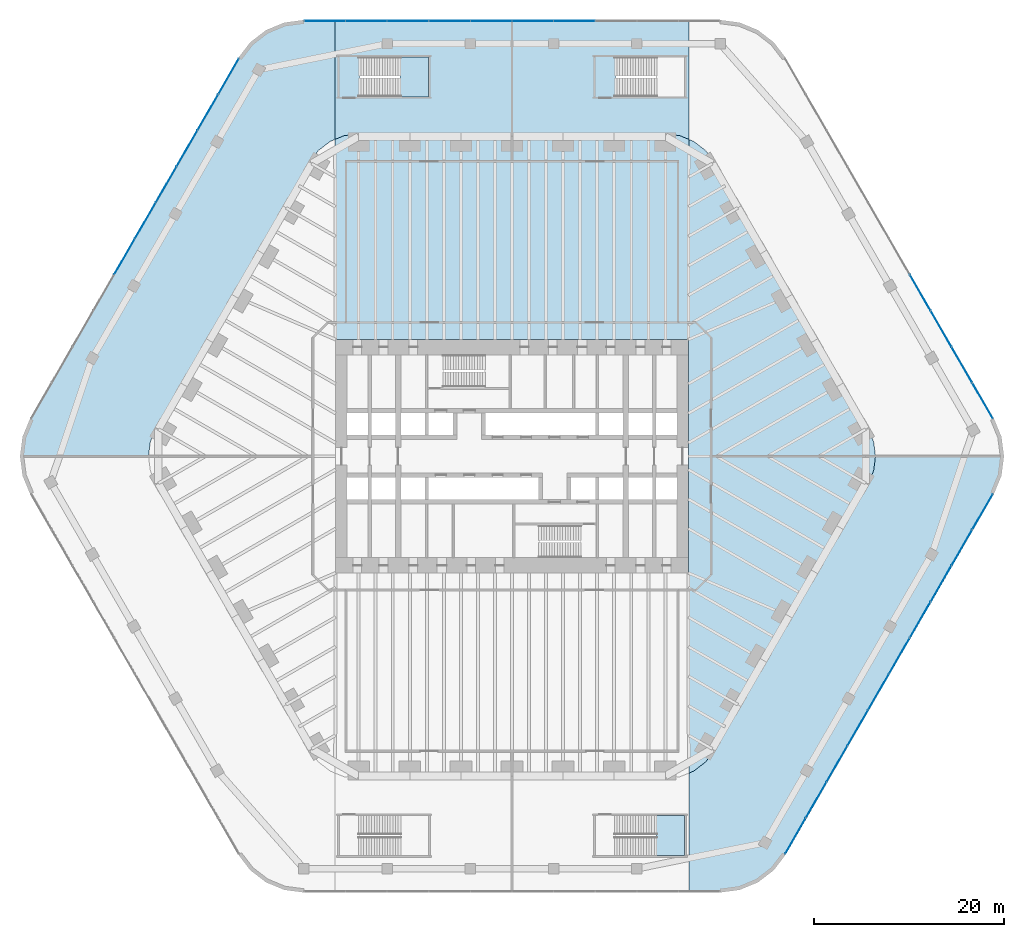
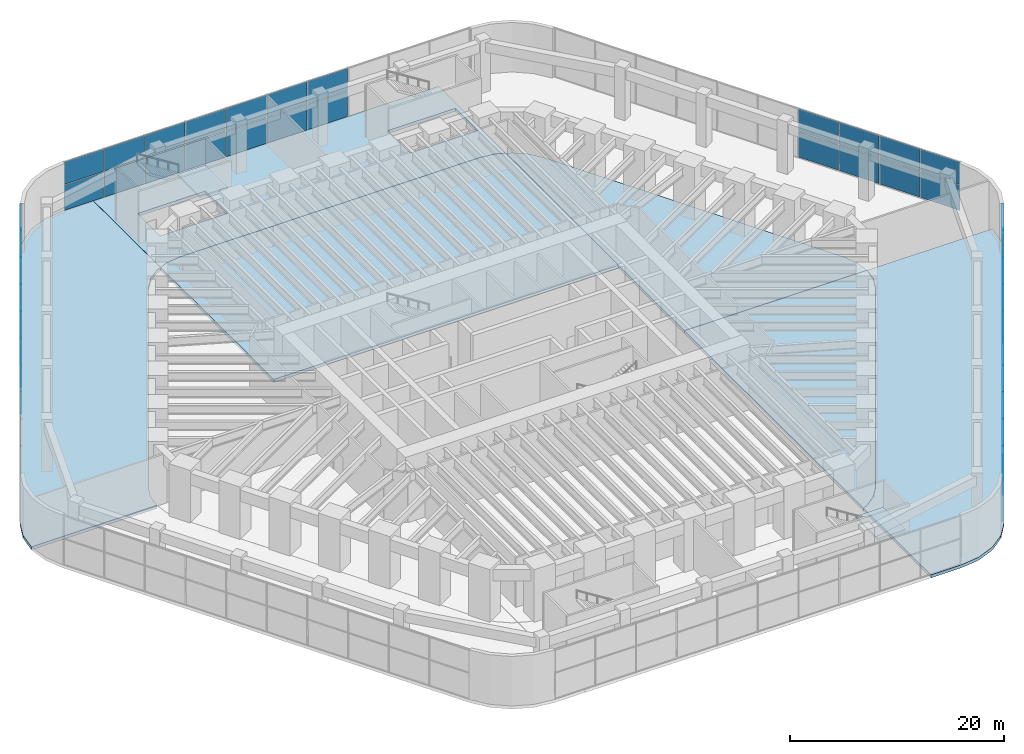
# One storey, part 24 of 31: 54 plates, 8 slabs, 6 elements without a shape of their own.
"""IFC4 building model written with IfcOpenShell, lengths in metres."""

import ifcopenshell
import ifcopenshell.guid

model = None  # the IFC model being written
_history = None  # IfcOwnerHistory: only IFC2X3 demands one
_inside = {}  # id of a spatial element -> (the spatial element, [elements in it])
_under = {}  # id of a project, library or spatial element -> (it, [spatial elements below it])
_declared = {}  # id of a project -> (the project, [libraries it declares])
_typed = {}  # id of a type object -> (the type object, [elements of that type])
_made_of = {}  # id of a material, layer set ... -> (it, [elements and type objects made of it])


def new_model(schema):
    """Start an empty IFC model of exactly this schema.

    Asked for "IFC4X3", IfcOpenShell would pick the latest addendum, in which some entities
    have other attributes; the version numbers below select the first issue.
    IFC2X3 requires an IfcOwnerHistory on every rooted entity: one is made here for all.
    """
    global model, _history
    if schema == "IFC4X3":
        model = ifcopenshell.file(schema_version=(4, 3, 0, 0))
    else:
        model = ifcopenshell.file(schema=schema)
    _inside.clear()
    _under.clear()
    _declared.clear()
    _typed.clear()
    _made_of.clear()
    _history = None
    if model.schema == "IFC2X3":
        org = make("IfcOrganization", Name="unknown")
        user = make(
            "IfcPersonAndOrganization",
            ThePerson=make("IfcPerson", FamilyName="unknown"),
            TheOrganization=org,
        )
        app = make(
            "IfcApplication",
            ApplicationDeveloper=org,
            Version="unknown",
            ApplicationFullName="unknown",
            ApplicationIdentifier="unknown",
        )
        _history = make(
            "IfcOwnerHistory",
            OwningUser=user,
            OwningApplication=app,
            ChangeAction="ADDED",
            CreationDate=0,
        )
    return model


def make(cls, **values):
    """One entity of the class cls with the attributes given. An attribute that is None is left unset."""
    return model.create_entity(
        cls, **{name: value for name, value in values.items() if value is not None}
    )


def rooted(cls, **values):
    """An entity with a GlobalId (a new one), such as an element, a storey or a relation."""
    return make(cls, GlobalId=ifcopenshell.guid.new(), OwnerHistory=_history, **values)


def si_unit(unit_type, name, prefix=None):
    """IfcSIUnit, for example si_unit("LENGTHUNIT", "METRE", prefix="MILLI")."""
    return make("IfcSIUnit", UnitType=unit_type, Prefix=prefix, Name=name)


def assignment(units):
    """IfcUnitAssignment: the units of a project."""
    return None if units is None else make("IfcUnitAssignment", Units=units)


def point(xyz):
    """IfcCartesianPoint."""
    return None if xyz is None else make("IfcCartesianPoint", Coordinates=xyz)


def direction(xyz):
    """IfcDirection."""
    return None if xyz is None else make("IfcDirection", DirectionRatios=xyz)


def frame(location, z_axis=None, x_axis=None):
    """IfcAxis2Placement3D, a coordinate frame: its origin and axes. An axis left out is left unset."""
    return make(
        "IfcAxis2Placement3D",
        Location=point(location),
        Axis=direction(z_axis),
        RefDirection=direction(x_axis),
    )


def frame_2d(location, x_axis=None):
    """IfcAxis2Placement2D, a coordinate frame in the plane: its origin and x axis."""
    return make(
        "IfcAxis2Placement2D", Location=point(location), RefDirection=direction(x_axis)
    )


def origin():
    """The frame at (0, 0, 0) with its axes left unset."""
    return frame((0.0, 0.0, 0.0))


def origin_2d():
    """The frame at (0, 0) in the plane with its x axis left unset."""
    return frame_2d((0.0, 0.0))


def place(relative_to, where):
    """IfcLocalPlacement: puts the frame where relative to a parent placement (None: the world)."""
    return make(
        "IfcLocalPlacement", PlacementRelTo=relative_to, RelativePlacement=where
    )


def context(
    kind, dimensions, precision=None, world=None, true_north=None, identifier=None
):
    """IfcGeometricRepresentationContext, for example the 3D "Model" context."""
    return make(
        "IfcGeometricRepresentationContext",
        ContextIdentifier=identifier,
        ContextType=kind,
        CoordinateSpaceDimension=dimensions,
        Precision=precision,
        WorldCoordinateSystem=world,
        TrueNorth=true_north,
    )


def subcontext(parent, identifier, kind, view, scale=None):
    """IfcGeometricRepresentationSubContext, for example "Body" below "Model"."""
    return make(
        "IfcGeometricRepresentationSubContext",
        ContextIdentifier=identifier,
        ContextType=kind,
        ParentContext=parent,
        TargetScale=scale,
        TargetView=view,
    )


def project(units=None, contexts=None):
    """IfcProject with its units and contexts."""
    return rooted(
        "IfcProject",
        Name="project",
        RepresentationContexts=contexts,
        UnitsInContext=assignment(units),
    )


def spatial(cls, under=None, at=None, **own):
    """A site, building, storey or space (cls), placed at a placement, below another one or the project."""
    s = rooted(cls, ObjectPlacement=at, **own)
    if under is not None:
        _under.setdefault(under.id(), (under, []))[1].append(s)
    return s


def polyline(points):
    """IfcPolyline through the points."""
    return make("IfcPolyline", Points=[point(p) for p in points])


def profile(cls, at=None, kind="AREA", **sizes):
    """A parametric profile (cls). Its sizes go by their IFC names, for example OverallWidth=200.0."""
    return make(cls, ProfileType=kind, Position=at, **sizes)


def rectangle(**sizes):
    """IfcRectangleProfileDef."""
    return profile("IfcRectangleProfileDef", **sizes)


def outline(outer, holes=None, kind="AREA"):
    """IfcArbitraryClosedProfileDef: a profile drawn as a closed curve; with holes, ...WithVoids."""
    if holes is None:
        return make("IfcArbitraryClosedProfileDef", ProfileType=kind, OuterCurve=outer)
    return make(
        "IfcArbitraryProfileDefWithVoids",
        ProfileType=kind,
        OuterCurve=outer,
        InnerCurves=holes,
    )


def extrude(swept, where, along, depth):
    """IfcExtrudedAreaSolid: the profile swept, set in the frame where, extruded along a direction by depth."""
    return make(
        "IfcExtrudedAreaSolid",
        SweptArea=swept,
        Position=where,
        ExtrudedDirection=direction(along),
        Depth=depth,
    )


def shape(context_of_items, identifier, shape_type, items):
    """IfcShapeRepresentation: the items that make up one representation, for example the "Body"."""
    return make(
        "IfcShapeRepresentation",
        ContextOfItems=context_of_items,
        RepresentationIdentifier=identifier,
        RepresentationType=shape_type,
        Items=items,
    )


def material(Name=None, Category=None):
    """IfcMaterial."""
    return make("IfcMaterial", Name=Name, Category=Category)


def layer(
    of_material, thickness, ventilated=None, Name=None, Category=None, Priority=None
):
    """IfcMaterialLayer: one layer of a wall or slab, of a material (None: an air gap)."""
    return make(
        "IfcMaterialLayer",
        Material=of_material,
        LayerThickness=thickness,
        IsVentilated=ventilated,
        Name=Name,
        Category=Category,
        Priority=Priority,
    )


def layer_set(layers, Name=None):
    """IfcMaterialLayerSet."""
    return make("IfcMaterialLayerSet", MaterialLayers=layers, LayerSetName=Name)


def made_of(thing, what):
    """Note that an element or type object is made of a material, layer set ...; save() writes the relation."""
    if what is not None:
        _made_of.setdefault(what.id(), (what, []))[1].append(thing)
    return thing


def type_object(cls, material=None, **own):
    """A type object (cls), such as IfcWallType, which elements share."""
    return made_of(rooted(cls, **own), material)


def element(
    cls,
    number,
    at=None,
    inside=None,
    cuts=None,
    type_object=None,
    material=None,
    context=None,
    identifier="Body",
    shape_type=None,
    held_by="IfcProductDefinitionShape",
    body=None,
    shapes=None,
    **own,
):
    """One element of the class cls, such as IfcWall. Its Tag is "e" and its number.

    at: its placement. inside: the storey or other place that contains it. cuts: it is an
    opening in that element (IfcRelVoidsElement). A single representation is given by context,
    identifier, shape_type and body (its items); several are given by shapes. held_by: the class
    of the entity that holds the representations. save() writes the other relations.
    """
    e = rooted(cls, Tag="e%d" % number, ObjectPlacement=at, **own)
    if body is not None:
        shapes = [shape(context, identifier, shape_type, body)]
    if shapes is not None:
        e.Representation = make(held_by, Representations=shapes)
    if inside is not None:
        _inside.setdefault(inside.id(), (inside, []))[1].append(e)
    if cuts is not None:
        rooted(
            "IfcRelVoidsElement", RelatingBuildingElement=cuts, RelatedOpeningElement=e
        )
    if type_object is not None:
        _typed.setdefault(type_object.id(), (type_object, []))[1].append(e)
    return made_of(e, material)


def aggregate(whole, parts):
    """IfcRelAggregates: a whole, such as a stair, and the parts it consists of."""
    return rooted("IfcRelAggregates", RelatingObject=whole, RelatedObjects=parts)


def save(model, path):
    """Write the relations noted so far, then the file.

    IfcRelAggregates (storeys below a building ...), IfcRelContainedInSpatialStructure (elements
    in a storey), IfcRelDefinesByType, IfcRelAssociatesMaterial and IfcRelDeclares: one each for
    every whole, place, type object, material and project.
    """
    for whole, parts in _under.values():
        aggregate(whole, parts)
    for where, things in _inside.values():
        rooted(
            "IfcRelContainedInSpatialStructure",
            RelatedElements=things,
            RelatingStructure=where,
        )
    for kind, things in _typed.values():
        rooted("IfcRelDefinesByType", RelatedObjects=things, RelatingType=kind)
    for what, things in _made_of.values():
        rooted("IfcRelAssociatesMaterial", RelatedObjects=things, RelatingMaterial=what)
    for by, libraries in _declared.values():
        rooted("IfcRelDeclares", RelatingContext=by, RelatedDefinitions=libraries)
    model.write(path)


model = new_model("IFC4")

# Units and contexts
model_context = context("Model", 3, precision=1e-05, world=origin(), true_north=direction((0.0, 1.0)))
body_context = subcontext(model_context, "Body", "Model", "MODEL_VIEW")
ifc_project = project(units=[si_unit("LENGTHUNIT", "METRE"), si_unit("AREAUNIT", "SQUARE_METRE"), si_unit("VOLUMEUNIT", "CUBIC_METRE"), si_unit("PLANEANGLEUNIT", "RADIAN"), si_unit("MASSUNIT", "GRAM", prefix="KILO")], contexts=[model_context])

# Site, building, storey
site_placement = place(None, origin())
site = spatial("IfcSite", under=ifc_project, at=site_placement, CompositionType="ELEMENT")
building_placement = place(site_placement, origin())
building = spatial("IfcBuilding", under=site, at=building_placement, Name="Tarfa Lantern Tower", CompositionType="ELEMENT")
storey_placement = place(building_placement, frame((0.0, 0.0, 7.0)))
storey = spatial("IfcBuildingStorey", under=building, at=storey_placement, Name="L01", CompositionType="ELEMENT", Elevation=7.0)

# Curtain wall, plates
ifc_material_1 = material(Name="Aluminium framed curtain wall", Category="aluminium")
curtain_wall_type = type_object("IfcCurtainWallType", Name="CW7 PODIUM GLAZING 5650", PredefinedType="USERDEFINED", material=ifc_material_1)
curtain_wall_1_placement = place(storey_placement, origin())
curtain_wall_1 = element("IfcCurtainWall", 1, at=curtain_wall_1_placement, inside=storey, type_object=curtain_wall_type, Name="CW7 NE L01", ObjectType="CURTAIN WALL", PredefinedType="USERDEFINED")
ifc_material_2 = material(Name="Laminated double glazing", Category="glass")
ifc_layer_1 = layer(ifc_material_2, 0.028076171875)
ifc_layer_set_1 = layer_set([ifc_layer_1], Name="CWP1 DOUBLE GLAZED PANEL")
plate_type = type_object("IfcPlateType", Name="CWP1 DOUBLE GLAZED PANEL", PredefinedType="CURTAIN_PANEL", material=ifc_layer_set_1)
plate_1_placement = place(storey_placement, frame((49.615234375, 5.864013671875, 0.06494140625), z_axis=(0.0, 0.0, 1.0), x_axis=(-0.5, 0.866025403784, 0.0)))
plate_1 = element("IfcPlate", 2, at=plate_1_placement, type_object=plate_type, Name="CW7 panel 1.1", PredefinedType="CURTAIN_PANEL", context=body_context, shape_type="SweptSolid", body=[
    extrude(rectangle(XDim=4.290283203125, YDim=0.028076171875, at=origin_2d()), origin(), (0.0, 0.0, 1.0), 2.902587890625),
])
plate_2_placement = place(storey_placement, frame((49.615234375, 5.864013671875, 3.03271484375), z_axis=(0.0, 0.0, 1.0), x_axis=(-0.5, 0.866025403784, 0.0)))
plate_2 = element("IfcPlate", 3, at=plate_2_placement, type_object=plate_type, Name="CW7 panel 1.2", PredefinedType="CURTAIN_PANEL", context=body_context, shape_type="SweptSolid", body=[
    extrude(rectangle(XDim=4.290283203125, YDim=0.028076171875, at=origin_2d()), origin(), (0.0, 0.0, 1.0), 2.552490234375),
])
plate_3_placement = place(storey_placement, frame((47.429443359375, 9.64990234375, 0.06494140625), z_axis=(0.0, 0.0, 1.0), x_axis=(-0.5, 0.866025403784, 0.0)))
plate_3 = element("IfcPlate", 4, at=plate_3_placement, type_object=plate_type, Name="CW7 panel 2.1", PredefinedType="CURTAIN_PANEL", context=body_context, shape_type="SweptSolid", body=[
    extrude(rectangle(XDim=4.32275390625, YDim=0.028076171875, at=origin_2d()), origin(), (0.0, 0.0, 1.0), 2.902587890625),
])
plate_4_placement = place(storey_placement, frame((47.429443359375, 9.64990234375, 3.03271484375), z_axis=(0.0, 0.0, 1.0), x_axis=(-0.5, 0.866025403784, 0.0)))
plate_4 = element("IfcPlate", 5, at=plate_4_placement, type_object=plate_type, Name="CW7 panel 2.2", PredefinedType="CURTAIN_PANEL", context=body_context, shape_type="SweptSolid", body=[
    extrude(rectangle(XDim=4.32275390625, YDim=0.028076171875, at=origin_2d()), origin(), (0.0, 0.0, 1.0), 2.552490234375),
])
plate_5_placement = place(storey_placement, frame((45.2353515625, 13.449951171875, 0.06494140625), z_axis=(0.0, 0.0, 1.0), x_axis=(-0.5, 0.866025403784, 0.0)))
plate_5 = element("IfcPlate", 6, at=plate_5_placement, type_object=plate_type, Name="CW7 panel 3.1", PredefinedType="CURTAIN_PANEL", context=body_context, shape_type="SweptSolid", body=[
    extrude(rectangle(XDim=4.32275390625, YDim=0.028076171875, at=origin_2d()), origin(), (0.0, 0.0, 1.0), 2.902587890625),
])
plate_6_placement = place(storey_placement, frame((45.2353515625, 13.449951171875, 3.03271484375), z_axis=(0.0, 0.0, 1.0), x_axis=(-0.5, 0.866025403784, 0.0)))
plate_6 = element("IfcPlate", 7, at=plate_6_placement, type_object=plate_type, Name="CW7 panel 3.2", PredefinedType="CURTAIN_PANEL", context=body_context, shape_type="SweptSolid", body=[
    extrude(rectangle(XDim=4.32275390625, YDim=0.028076171875, at=origin_2d()), origin(), (0.0, 0.0, 1.0), 2.552490234375),
])
plate_7_placement = place(storey_placement, frame((43.04150390625, 17.25, 0.06494140625), z_axis=(0.0, 0.0, 1.0), x_axis=(-0.5, 0.866025403784, 0.0)))
plate_7 = element("IfcPlate", 8, at=plate_7_placement, type_object=plate_type, Name="CW7 panel 4.1", PredefinedType="CURTAIN_PANEL", context=body_context, shape_type="SweptSolid", body=[
    extrude(rectangle(XDim=4.32275390625, YDim=0.028076171875, at=origin_2d()), origin(), (0.0, 0.0, 1.0), 2.902587890625),
])
plate_8_placement = place(storey_placement, frame((43.04150390625, 17.25, 3.03271484375), z_axis=(0.0, 0.0, 1.0), x_axis=(-0.5, 0.866025403784, 0.0)))
plate_8 = element("IfcPlate", 9, at=plate_8_placement, type_object=plate_type, Name="CW7 panel 4.2", PredefinedType="CURTAIN_PANEL", context=body_context, shape_type="SweptSolid", body=[
    extrude(rectangle(XDim=4.32275390625, YDim=0.028076171875, at=origin_2d()), origin(), (0.0, 0.0, 1.0), 2.552490234375),
])
aggregate(curtain_wall_1, [plate_1, plate_2, plate_3, plate_4, plate_5, plate_6, plate_7, plate_8])

curtain_wall_2_placement = place(storey_placement, origin())
curtain_wall_2 = element("IfcCurtainWall", 10, at=curtain_wall_2_placement, inside=storey, type_object=curtain_wall_type, Name="CW7 N L01", ObjectType="CURTAIN WALL", PredefinedType="USERDEFINED")
plate_9_placement = place(storey_placement, frame((6.581787109375, 45.89990234375, 0.06494140625), z_axis=(0.0, 0.0, 1.0), x_axis=(-1.0, 0.0, 0.0)))
plate_9 = element("IfcPlate", 11, at=plate_9_placement, type_object=plate_type, Name="CW7 panel 4.1", PredefinedType="CURTAIN_PANEL", context=body_context, shape_type="SweptSolid", body=[
    extrude(rectangle(XDim=4.32275390625, YDim=0.028076171875, at=origin_2d()), origin(), (0.0, 0.0, 1.0), 2.902587890625),
])
plate_10_placement = place(storey_placement, frame((6.581787109375, 45.89990234375, 3.03271484375), z_axis=(0.0, 0.0, 1.0), x_axis=(-1.0, 0.0, 0.0)))
plate_10 = element("IfcPlate", 12, at=plate_10_placement, type_object=plate_type, Name="CW7 panel 4.2", PredefinedType="CURTAIN_PANEL", context=body_context, shape_type="SweptSolid", body=[
    extrude(rectangle(XDim=4.32275390625, YDim=0.028076171875, at=origin_2d()), origin(), (0.0, 0.0, 1.0), 2.552490234375),
])
plate_11_placement = place(storey_placement, frame((2.19384765625, 45.89990234375, 0.06494140625), z_axis=(0.0, 0.0, 1.0), x_axis=(-1.0, 0.0, 0.0)))
plate_11 = element("IfcPlate", 13, at=plate_11_placement, type_object=plate_type, Name="CW7 panel 5.1", PredefinedType="CURTAIN_PANEL", context=body_context, shape_type="SweptSolid", body=[
    extrude(rectangle(XDim=4.32275390625, YDim=0.028076171875, at=origin_2d()), origin(), (0.0, 0.0, 1.0), 2.902587890625),
])
plate_12_placement = place(storey_placement, frame((2.19384765625, 45.89990234375, 3.03271484375), z_axis=(0.0, 0.0, 1.0), x_axis=(-1.0, 0.0, 0.0)))
plate_12 = element("IfcPlate", 14, at=plate_12_placement, type_object=plate_type, Name="CW7 panel 5.2", PredefinedType="CURTAIN_PANEL", context=body_context, shape_type="SweptSolid", body=[
    extrude(rectangle(XDim=4.32275390625, YDim=0.028076171875, at=origin_2d()), origin(), (0.0, 0.0, 1.0), 2.552490234375),
])
plate_13_placement = place(storey_placement, frame((-2.19384765625, 45.89990234375, 0.06494140625), z_axis=(0.0, 0.0, 1.0), x_axis=(-1.0, 0.0, 0.0)))
plate_13 = element("IfcPlate", 15, at=plate_13_placement, type_object=plate_type, Name="CW7 panel 6.1", PredefinedType="CURTAIN_PANEL", context=body_context, shape_type="SweptSolid", body=[
    extrude(rectangle(XDim=4.32275390625, YDim=0.028076171875, at=origin_2d()), origin(), (0.0, 0.0, 1.0), 2.902587890625),
])
plate_14_placement = place(storey_placement, frame((-2.19384765625, 45.89990234375, 3.03271484375), z_axis=(0.0, 0.0, 1.0), x_axis=(-1.0, 0.0, 0.0)))
plate_14 = element("IfcPlate", 16, at=plate_14_placement, type_object=plate_type, Name="CW7 panel 6.2", PredefinedType="CURTAIN_PANEL", context=body_context, shape_type="SweptSolid", body=[
    extrude(rectangle(XDim=4.32275390625, YDim=0.028076171875, at=origin_2d()), origin(), (0.0, 0.0, 1.0), 2.552490234375),
])
plate_15_placement = place(storey_placement, frame((-6.581787109375, 45.89990234375, 0.06494140625), z_axis=(0.0, 0.0, 1.0), x_axis=(-1.0, 0.0, 0.0)))
plate_15 = element("IfcPlate", 17, at=plate_15_placement, type_object=plate_type, Name="CW7 panel 7.1", PredefinedType="CURTAIN_PANEL", context=body_context, shape_type="SweptSolid", body=[
    extrude(rectangle(XDim=4.32275390625, YDim=0.028076171875, at=origin_2d()), origin(), (0.0, 0.0, 1.0), 2.902587890625),
])
plate_16_placement = place(storey_placement, frame((-6.581787109375, 45.89990234375, 3.03271484375), z_axis=(0.0, 0.0, 1.0), x_axis=(-1.0, 0.0, 0.0)))
plate_16 = element("IfcPlate", 18, at=plate_16_placement, type_object=plate_type, Name="CW7 panel 7.2", PredefinedType="CURTAIN_PANEL", context=body_context, shape_type="SweptSolid", body=[
    extrude(rectangle(XDim=4.32275390625, YDim=0.028076171875, at=origin_2d()), origin(), (0.0, 0.0, 1.0), 2.552490234375),
])
plate_17_placement = place(storey_placement, frame((-10.9697265625, 45.89990234375, 0.06494140625), z_axis=(0.0, 0.0, 1.0), x_axis=(-1.0, 0.0, 0.0)))
plate_17 = element("IfcPlate", 19, at=plate_17_placement, type_object=plate_type, Name="CW7 panel 8.1", PredefinedType="CURTAIN_PANEL", context=body_context, shape_type="SweptSolid", body=[
    extrude(rectangle(XDim=4.32275390625, YDim=0.028076171875, at=origin_2d()), origin(), (0.0, 0.0, 1.0), 2.902587890625),
])
plate_18_placement = place(storey_placement, frame((-10.9697265625, 45.89990234375, 3.03271484375), z_axis=(0.0, 0.0, 1.0), x_axis=(-1.0, 0.0, 0.0)))
plate_18 = element("IfcPlate", 20, at=plate_18_placement, type_object=plate_type, Name="CW7 panel 8.2", PredefinedType="CURTAIN_PANEL", context=body_context, shape_type="SweptSolid", body=[
    extrude(rectangle(XDim=4.32275390625, YDim=0.028076171875, at=origin_2d()), origin(), (0.0, 0.0, 1.0), 2.552490234375),
])
plate_19_placement = place(storey_placement, frame((-15.357421875, 45.89990234375, 0.06494140625), z_axis=(0.0, 0.0, 1.0), x_axis=(-1.0, 0.0, 0.0)))
plate_19 = element("IfcPlate", 21, at=plate_19_placement, type_object=plate_type, Name="CW7 panel 9.1", PredefinedType="CURTAIN_PANEL", context=body_context, shape_type="SweptSolid", body=[
    extrude(rectangle(XDim=4.32275390625, YDim=0.028076171875, at=origin_2d()), origin(), (0.0, 0.0, 1.0), 2.902587890625),
])
plate_20_placement = place(storey_placement, frame((-15.357421875, 45.89990234375, 3.03271484375), z_axis=(0.0, 0.0, 1.0), x_axis=(-1.0, 0.0, 0.0)))
plate_20 = element("IfcPlate", 22, at=plate_20_placement, type_object=plate_type, Name="CW7 panel 9.2", PredefinedType="CURTAIN_PANEL", context=body_context, shape_type="SweptSolid", body=[
    extrude(rectangle(XDim=4.32275390625, YDim=0.028076171875, at=origin_2d()), origin(), (0.0, 0.0, 1.0), 2.552490234375),
])
plate_21_placement = place(storey_placement, frame((-19.729248046875, 45.89990234375, 0.06494140625), z_axis=(0.0, 0.0, 1.0), x_axis=(-1.0, 0.0, 0.0)))
plate_21 = element("IfcPlate", 23, at=plate_21_placement, type_object=plate_type, Name="CW7 panel 10.1", PredefinedType="CURTAIN_PANEL", context=body_context, shape_type="SweptSolid", body=[
    extrude(rectangle(XDim=4.290283203125, YDim=0.028076171875, at=origin_2d()), origin(), (0.0, 0.0, 1.0), 2.902587890625),
])
plate_22_placement = place(storey_placement, frame((-19.729248046875, 45.89990234375, 3.03271484375), z_axis=(0.0, 0.0, 1.0), x_axis=(-1.0, 0.0, 0.0)))
plate_22 = element("IfcPlate", 24, at=plate_22_placement, type_object=plate_type, Name="CW7 panel 10.2", PredefinedType="CURTAIN_PANEL", context=body_context, shape_type="SweptSolid", body=[
    extrude(rectangle(XDim=4.290283203125, YDim=0.028076171875, at=origin_2d()), origin(), (0.0, 0.0, 1.0), 2.552490234375),
])
aggregate(curtain_wall_2, [plate_9, plate_10, plate_11, plate_12, plate_13, plate_14, plate_15, plate_16, plate_17, plate_18, plate_19, plate_20, plate_21, plate_22])

curtain_wall_3_placement = place(storey_placement, origin())
curtain_wall_3 = element("IfcCurtainWall", 25, at=curtain_wall_3_placement, inside=storey, type_object=curtain_wall_type, Name="CW7 NW L01", ObjectType="CURTAIN WALL", PredefinedType="USERDEFINED")
plate_23_placement = place(storey_placement, frame((-29.885986328125, 40.035888671875, 0.06494140625), z_axis=(0.0, 0.0, 1.0), x_axis=(-0.5, -0.866025403784, 0.0)))
plate_23 = element("IfcPlate", 26, at=plate_23_placement, type_object=plate_type, Name="CW7 panel 1.1", PredefinedType="CURTAIN_PANEL", context=body_context, shape_type="SweptSolid", body=[
    extrude(rectangle(XDim=4.290283203125, YDim=0.028076171875, at=origin_2d()), origin(), (0.0, 0.0, 1.0), 2.902587890625),
])
plate_24_placement = place(storey_placement, frame((-29.885986328125, 40.035888671875, 3.03271484375), z_axis=(0.0, 0.0, 1.0), x_axis=(-0.5, -0.866025403784, 0.0)))
plate_24 = element("IfcPlate", 27, at=plate_24_placement, type_object=plate_type, Name="CW7 panel 1.2", PredefinedType="CURTAIN_PANEL", context=body_context, shape_type="SweptSolid", body=[
    extrude(rectangle(XDim=4.290283203125, YDim=0.028076171875, at=origin_2d()), origin(), (0.0, 0.0, 1.0), 2.552490234375),
])
plate_25_placement = place(storey_placement, frame((-32.07177734375, 36.25, 0.06494140625), z_axis=(0.0, 0.0, 1.0), x_axis=(-0.5, -0.866025403784, 0.0)))
plate_25 = element("IfcPlate", 28, at=plate_25_placement, type_object=plate_type, Name="CW7 panel 2.1", PredefinedType="CURTAIN_PANEL", context=body_context, shape_type="SweptSolid", body=[
    extrude(rectangle(XDim=4.32275390625, YDim=0.028076171875, at=origin_2d()), origin(), (0.0, 0.0, 1.0), 2.902587890625),
])
plate_26_placement = place(storey_placement, frame((-32.07177734375, 36.25, 3.03271484375), z_axis=(0.0, 0.0, 1.0), x_axis=(-0.5, -0.866025403784, 0.0)))
plate_26 = element("IfcPlate", 29, at=plate_26_placement, type_object=plate_type, Name="CW7 panel 2.2", PredefinedType="CURTAIN_PANEL", context=body_context, shape_type="SweptSolid", body=[
    extrude(rectangle(XDim=4.32275390625, YDim=0.028076171875, at=origin_2d()), origin(), (0.0, 0.0, 1.0), 2.552490234375),
])
plate_27_placement = place(storey_placement, frame((-34.265625, 32.449951171875, 0.06494140625), z_axis=(0.0, 0.0, 1.0), x_axis=(-0.5, -0.866025403784, 0.0)))
plate_27 = element("IfcPlate", 30, at=plate_27_placement, type_object=plate_type, Name="CW7 panel 3.1", PredefinedType="CURTAIN_PANEL", context=body_context, shape_type="SweptSolid", body=[
    extrude(rectangle(XDim=4.32275390625, YDim=0.028076171875, at=origin_2d()), origin(), (0.0, 0.0, 1.0), 2.902587890625),
])
plate_28_placement = place(storey_placement, frame((-34.265625, 32.449951171875, 3.03271484375), z_axis=(0.0, 0.0, 1.0), x_axis=(-0.5, -0.866025403784, 0.0)))
plate_28 = element("IfcPlate", 31, at=plate_28_placement, type_object=plate_type, Name="CW7 panel 3.2", PredefinedType="CURTAIN_PANEL", context=body_context, shape_type="SweptSolid", body=[
    extrude(rectangle(XDim=4.32275390625, YDim=0.028076171875, at=origin_2d()), origin(), (0.0, 0.0, 1.0), 2.552490234375),
])
plate_29_placement = place(storey_placement, frame((-36.459716796875, 28.64990234375, 0.06494140625), z_axis=(0.0, 0.0, 1.0), x_axis=(-0.5, -0.866025403784, 0.0)))
plate_29 = element("IfcPlate", 32, at=plate_29_placement, type_object=plate_type, Name="CW7 panel 4.1", PredefinedType="CURTAIN_PANEL", context=body_context, shape_type="SweptSolid", body=[
    extrude(rectangle(XDim=4.32275390625, YDim=0.028076171875, at=origin_2d()), origin(), (0.0, 0.0, 1.0), 2.902587890625),
])
plate_30_placement = place(storey_placement, frame((-36.459716796875, 28.64990234375, 3.03271484375), z_axis=(0.0, 0.0, 1.0), x_axis=(-0.5, -0.866025403784, 0.0)))
plate_30 = element("IfcPlate", 33, at=plate_30_placement, type_object=plate_type, Name="CW7 panel 4.2", PredefinedType="CURTAIN_PANEL", context=body_context, shape_type="SweptSolid", body=[
    extrude(rectangle(XDim=4.32275390625, YDim=0.028076171875, at=origin_2d()), origin(), (0.0, 0.0, 1.0), 2.552490234375),
])
plate_31_placement = place(storey_placement, frame((-38.653564453125, 24.85009765625, 0.06494140625), z_axis=(0.0, 0.0, 1.0), x_axis=(-0.5, -0.866025403784, 0.0)))
plate_31 = element("IfcPlate", 34, at=plate_31_placement, type_object=plate_type, Name="CW7 panel 5.1", PredefinedType="CURTAIN_PANEL", context=body_context, shape_type="SweptSolid", body=[
    extrude(rectangle(XDim=4.32275390625, YDim=0.028076171875, at=origin_2d()), origin(), (0.0, 0.0, 1.0), 2.902587890625),
])
plate_32_placement = place(storey_placement, frame((-38.653564453125, 24.85009765625, 3.03271484375), z_axis=(0.0, 0.0, 1.0), x_axis=(-0.5, -0.866025403784, 0.0)))
plate_32 = element("IfcPlate", 35, at=plate_32_placement, type_object=plate_type, Name="CW7 panel 5.2", PredefinedType="CURTAIN_PANEL", context=body_context, shape_type="SweptSolid", body=[
    extrude(rectangle(XDim=4.32275390625, YDim=0.028076171875, at=origin_2d()), origin(), (0.0, 0.0, 1.0), 2.552490234375),
])
plate_33_placement = place(storey_placement, frame((-40.847412109375, 21.050048828125, 0.06494140625), z_axis=(0.0, 0.0, 1.0), x_axis=(-0.5, -0.866025403784, 0.0)))
plate_33 = element("IfcPlate", 36, at=plate_33_placement, type_object=plate_type, Name="CW7 panel 6.1", PredefinedType="CURTAIN_PANEL", context=body_context, shape_type="SweptSolid", body=[
    extrude(rectangle(XDim=4.32275390625, YDim=0.028076171875, at=origin_2d()), origin(), (0.0, 0.0, 1.0), 2.902587890625),
])
plate_34_placement = place(storey_placement, frame((-40.847412109375, 21.050048828125, 3.03271484375), z_axis=(0.0, 0.0, 1.0), x_axis=(-0.5, -0.866025403784, 0.0)))
plate_34 = element("IfcPlate", 37, at=plate_34_placement, type_object=plate_type, Name="CW7 panel 6.2", PredefinedType="CURTAIN_PANEL", context=body_context, shape_type="SweptSolid", body=[
    extrude(rectangle(XDim=4.32275390625, YDim=0.028076171875, at=origin_2d()), origin(), (0.0, 0.0, 1.0), 2.552490234375),
])
aggregate(curtain_wall_3, [plate_23, plate_24, plate_25, plate_26, plate_27, plate_28, plate_29, plate_30, plate_31, plate_32, plate_33, plate_34])

curtain_wall_4_placement = place(storey_placement, origin())
curtain_wall_4 = element("IfcCurtainWall", 38, at=curtain_wall_4_placement, inside=storey, type_object=curtain_wall_type, Name="CW7 SE L01", ObjectType="CURTAIN WALL", PredefinedType="USERDEFINED")
plate_35_placement = place(storey_placement, frame((29.885986328125, -40.035888671875, 0.06494140625), z_axis=(0.0, 0.0, 1.0), x_axis=(0.5, 0.866025403784, 0.0)))
plate_35 = element("IfcPlate", 39, at=plate_35_placement, type_object=plate_type, Name="CW7 panel 1.1", PredefinedType="CURTAIN_PANEL", context=body_context, shape_type="SweptSolid", body=[
    extrude(rectangle(XDim=4.290283203125, YDim=0.028076171875, at=origin_2d()), origin(), (0.0, 0.0, 1.0), 2.902587890625),
])
plate_36_placement = place(storey_placement, frame((29.885986328125, -40.035888671875, 3.03271484375), z_axis=(0.0, 0.0, 1.0), x_axis=(0.5, 0.866025403784, 0.0)))
plate_36 = element("IfcPlate", 40, at=plate_36_placement, type_object=plate_type, Name="CW7 panel 1.2", PredefinedType="CURTAIN_PANEL", context=body_context, shape_type="SweptSolid", body=[
    extrude(rectangle(XDim=4.290283203125, YDim=0.028076171875, at=origin_2d()), origin(), (0.0, 0.0, 1.0), 2.552490234375),
])
plate_37_placement = place(storey_placement, frame((32.07177734375, -36.25, 0.06494140625), z_axis=(0.0, 0.0, 1.0), x_axis=(0.5, 0.866025403784, 0.0)))
plate_37 = element("IfcPlate", 41, at=plate_37_placement, type_object=plate_type, Name="CW7 panel 2.1", PredefinedType="CURTAIN_PANEL", context=body_context, shape_type="SweptSolid", body=[
    extrude(rectangle(XDim=4.32275390625, YDim=0.028076171875, at=origin_2d()), origin(), (0.0, 0.0, 1.0), 2.902587890625),
])
plate_38_placement = place(storey_placement, frame((32.07177734375, -36.25, 3.03271484375), z_axis=(0.0, 0.0, 1.0), x_axis=(0.5, 0.866025403784, 0.0)))
plate_38 = element("IfcPlate", 42, at=plate_38_placement, type_object=plate_type, Name="CW7 panel 2.2", PredefinedType="CURTAIN_PANEL", context=body_context, shape_type="SweptSolid", body=[
    extrude(rectangle(XDim=4.32275390625, YDim=0.028076171875, at=origin_2d()), origin(), (0.0, 0.0, 1.0), 2.552490234375),
])
plate_39_placement = place(storey_placement, frame((34.265625, -32.449951171875, 0.06494140625), z_axis=(0.0, 0.0, 1.0), x_axis=(0.5, 0.866025403784, 0.0)))
plate_39 = element("IfcPlate", 43, at=plate_39_placement, type_object=plate_type, Name="CW7 panel 3.1", PredefinedType="CURTAIN_PANEL", context=body_context, shape_type="SweptSolid", body=[
    extrude(rectangle(XDim=4.32275390625, YDim=0.028076171875, at=origin_2d()), origin(), (0.0, 0.0, 1.0), 2.902587890625),
])
plate_40_placement = place(storey_placement, frame((34.265625, -32.449951171875, 3.03271484375), z_axis=(0.0, 0.0, 1.0), x_axis=(0.5, 0.866025403784, 0.0)))
plate_40 = element("IfcPlate", 44, at=plate_40_placement, type_object=plate_type, Name="CW7 panel 3.2", PredefinedType="CURTAIN_PANEL", context=body_context, shape_type="SweptSolid", body=[
    extrude(rectangle(XDim=4.32275390625, YDim=0.028076171875, at=origin_2d()), origin(), (0.0, 0.0, 1.0), 2.552490234375),
])
plate_41_placement = place(storey_placement, frame((36.459716796875, -28.64990234375, 0.06494140625), z_axis=(0.0, 0.0, 1.0), x_axis=(0.5, 0.866025403784, 0.0)))
plate_41 = element("IfcPlate", 45, at=plate_41_placement, type_object=plate_type, Name="CW7 panel 4.1", PredefinedType="CURTAIN_PANEL", context=body_context, shape_type="SweptSolid", body=[
    extrude(rectangle(XDim=4.32275390625, YDim=0.028076171875, at=origin_2d()), origin(), (0.0, 0.0, 1.0), 2.902587890625),
])
plate_42_placement = place(storey_placement, frame((36.459716796875, -28.64990234375, 3.03271484375), z_axis=(0.0, 0.0, 1.0), x_axis=(0.5, 0.866025403784, 0.0)))
plate_42 = element("IfcPlate", 46, at=plate_42_placement, type_object=plate_type, Name="CW7 panel 4.2", PredefinedType="CURTAIN_PANEL", context=body_context, shape_type="SweptSolid", body=[
    extrude(rectangle(XDim=4.32275390625, YDim=0.028076171875, at=origin_2d()), origin(), (0.0, 0.0, 1.0), 2.552490234375),
])
plate_43_placement = place(storey_placement, frame((38.653564453125, -24.85009765625, 0.06494140625), z_axis=(0.0, 0.0, 1.0), x_axis=(0.5, 0.866025403784, 0.0)))
plate_43 = element("IfcPlate", 47, at=plate_43_placement, type_object=plate_type, Name="CW7 panel 5.1", PredefinedType="CURTAIN_PANEL", context=body_context, shape_type="SweptSolid", body=[
    extrude(rectangle(XDim=4.32275390625, YDim=0.028076171875, at=origin_2d()), origin(), (0.0, 0.0, 1.0), 2.902587890625),
])
plate_44_placement = place(storey_placement, frame((38.653564453125, -24.85009765625, 3.03271484375), z_axis=(0.0, 0.0, 1.0), x_axis=(0.5, 0.866025403784, 0.0)))
plate_44 = element("IfcPlate", 48, at=plate_44_placement, type_object=plate_type, Name="CW7 panel 5.2", PredefinedType="CURTAIN_PANEL", context=body_context, shape_type="SweptSolid", body=[
    extrude(rectangle(XDim=4.32275390625, YDim=0.028076171875, at=origin_2d()), origin(), (0.0, 0.0, 1.0), 2.552490234375),
])
plate_45_placement = place(storey_placement, frame((40.847412109375, -21.050048828125, 0.06494140625), z_axis=(0.0, 0.0, 1.0), x_axis=(0.5, 0.866025403784, 0.0)))
plate_45 = element("IfcPlate", 49, at=plate_45_placement, type_object=plate_type, Name="CW7 panel 6.1", PredefinedType="CURTAIN_PANEL", context=body_context, shape_type="SweptSolid", body=[
    extrude(rectangle(XDim=4.32275390625, YDim=0.028076171875, at=origin_2d()), origin(), (0.0, 0.0, 1.0), 2.902587890625),
])
plate_46_placement = place(storey_placement, frame((40.847412109375, -21.050048828125, 3.03271484375), z_axis=(0.0, 0.0, 1.0), x_axis=(0.5, 0.866025403784, 0.0)))
plate_46 = element("IfcPlate", 50, at=plate_46_placement, type_object=plate_type, Name="CW7 panel 6.2", PredefinedType="CURTAIN_PANEL", context=body_context, shape_type="SweptSolid", body=[
    extrude(rectangle(XDim=4.32275390625, YDim=0.028076171875, at=origin_2d()), origin(), (0.0, 0.0, 1.0), 2.552490234375),
])
plate_47_placement = place(storey_placement, frame((43.04150390625, -17.25, 0.06494140625), z_axis=(0.0, 0.0, 1.0), x_axis=(0.5, 0.866025403784, 0.0)))
plate_47 = element("IfcPlate", 51, at=plate_47_placement, type_object=plate_type, Name="CW7 panel 7.1", PredefinedType="CURTAIN_PANEL", context=body_context, shape_type="SweptSolid", body=[
    extrude(rectangle(XDim=4.32275390625, YDim=0.028076171875, at=origin_2d()), origin(), (0.0, 0.0, 1.0), 2.902587890625),
])
plate_48_placement = place(storey_placement, frame((43.04150390625, -17.25, 3.03271484375), z_axis=(0.0, 0.0, 1.0), x_axis=(0.5, 0.866025403784, 0.0)))
plate_48 = element("IfcPlate", 52, at=plate_48_placement, type_object=plate_type, Name="CW7 panel 7.2", PredefinedType="CURTAIN_PANEL", context=body_context, shape_type="SweptSolid", body=[
    extrude(rectangle(XDim=4.32275390625, YDim=0.028076171875, at=origin_2d()), origin(), (0.0, 0.0, 1.0), 2.552490234375),
])
plate_49_placement = place(storey_placement, frame((45.2353515625, -13.449951171875, 0.06494140625), z_axis=(0.0, 0.0, 1.0), x_axis=(0.5, 0.866025403784, 0.0)))
plate_49 = element("IfcPlate", 53, at=plate_49_placement, type_object=plate_type, Name="CW7 panel 8.1", PredefinedType="CURTAIN_PANEL", context=body_context, shape_type="SweptSolid", body=[
    extrude(rectangle(XDim=4.32275390625, YDim=0.028076171875, at=origin_2d()), origin(), (0.0, 0.0, 1.0), 2.902587890625),
])
plate_50_placement = place(storey_placement, frame((45.2353515625, -13.449951171875, 3.03271484375), z_axis=(0.0, 0.0, 1.0), x_axis=(0.5, 0.866025403784, 0.0)))
plate_50 = element("IfcPlate", 54, at=plate_50_placement, type_object=plate_type, Name="CW7 panel 8.2", PredefinedType="CURTAIN_PANEL", context=body_context, shape_type="SweptSolid", body=[
    extrude(rectangle(XDim=4.32275390625, YDim=0.028076171875, at=origin_2d()), origin(), (0.0, 0.0, 1.0), 2.552490234375),
])
plate_51_placement = place(storey_placement, frame((47.429443359375, -9.64990234375, 0.06494140625), z_axis=(0.0, 0.0, 1.0), x_axis=(0.5, 0.866025403784, 0.0)))
plate_51 = element("IfcPlate", 55, at=plate_51_placement, type_object=plate_type, Name="CW7 panel 9.1", PredefinedType="CURTAIN_PANEL", context=body_context, shape_type="SweptSolid", body=[
    extrude(rectangle(XDim=4.32275390625, YDim=0.028076171875, at=origin_2d()), origin(), (0.0, 0.0, 1.0), 2.902587890625),
])
plate_52_placement = place(storey_placement, frame((47.429443359375, -9.64990234375, 3.03271484375), z_axis=(0.0, 0.0, 1.0), x_axis=(0.5, 0.866025403784, 0.0)))
plate_52 = element("IfcPlate", 56, at=plate_52_placement, type_object=plate_type, Name="CW7 panel 9.2", PredefinedType="CURTAIN_PANEL", context=body_context, shape_type="SweptSolid", body=[
    extrude(rectangle(XDim=4.32275390625, YDim=0.028076171875, at=origin_2d()), origin(), (0.0, 0.0, 1.0), 2.552490234375),
])
plate_53_placement = place(storey_placement, frame((49.615234375, -5.864013671875, 0.06494140625), z_axis=(0.0, 0.0, 1.0), x_axis=(0.5, 0.866025403784, 0.0)))
plate_53 = element("IfcPlate", 57, at=plate_53_placement, type_object=plate_type, Name="CW7 panel 10.1", PredefinedType="CURTAIN_PANEL", context=body_context, shape_type="SweptSolid", body=[
    extrude(rectangle(XDim=4.290283203125, YDim=0.028076171875, at=origin_2d()), origin(), (0.0, 0.0, 1.0), 2.902587890625),
])
plate_54_placement = place(storey_placement, frame((49.615234375, -5.864013671875, 3.03271484375), z_axis=(0.0, 0.0, 1.0), x_axis=(0.5, 0.866025403784, 0.0)))
plate_54 = element("IfcPlate", 58, at=plate_54_placement, type_object=plate_type, Name="CW7 panel 10.2", PredefinedType="CURTAIN_PANEL", context=body_context, shape_type="SweptSolid", body=[
    extrude(rectangle(XDim=4.290283203125, YDim=0.028076171875, at=origin_2d()), origin(), (0.0, 0.0, 1.0), 2.552490234375),
])
aggregate(curtain_wall_4, [plate_35, plate_36, plate_37, plate_38, plate_39, plate_40, plate_41, plate_42, plate_43, plate_44, plate_45, plate_46, plate_47, plate_48, plate_49, plate_50, plate_51, plate_52, plate_53, plate_54])

# Slabs
ifc_material_3 = material(Name="Concrete C40/50", Category="concrete")
ifc_layer_2 = layer(ifc_material_3, 0.35009765625)
ifc_layer_set_2 = layer_set([ifc_layer_2], Name="FS3 FLOOR SLAB 350")
slab_type_1 = type_object("IfcSlabType", Name="FS3 FLOOR SLAB 350", PredefinedType="FLOOR", material=ifc_layer_set_2)
slab_1_placement = place(storey_placement, frame((0.0, 0.0, -0.35009765625)))
element("IfcSlab", 59, at=slab_1_placement, inside=storey, type_object=slab_type_1, Name="Floor slab L01 NE bay", PredefinedType="FLOOR", context=body_context, shape_type="SweptSolid", body=[
    extrude(outline(polyline([(37.52587890625, 2.9990234375), (21.3603515625, 30.998779296875), (20.406982421875, 32.2412109375), (19.164794921875, 33.1943359375), (18.64697265625, 33.408935546875), (18.60205078125, 12.300048828125), (18.60205078125, 0.001953125), (38.329345703125, 0.001953125), (38.125244140625, 1.552490234375), (37.52587890625, 2.9990234375)])), origin(), (0.0, 0.0, 1.0), 0.35009765625),
])
slab_2_placement = place(storey_placement, frame((0.0, 0.0, -0.35009765625)))
element("IfcSlab", 60, at=slab_2_placement, inside=storey, type_object=slab_type_1, Name="Floor slab L01 N bay", PredefinedType="FLOOR", context=body_context, shape_type="SweptSolid", body=[
    extrude(outline(polyline([(-18.597900390625, 12.302001953125), (18.597900390625, 12.302001953125), (18.64306640625, 33.41064453125), (17.71826171875, 33.793701171875), (16.165771484375, 33.998046875), (-16.165771484375, 33.998046875), (-17.71826171875, 33.793701171875), (-18.64306640625, 33.41064453125), (-18.597900390625, 12.302001953125)])), origin(), (0.0, 0.0, 1.0), 0.35009765625),
])
slab_3_placement = place(storey_placement, frame((0.0, 0.0, -0.35009765625)))
element("IfcSlab", 61, at=slab_3_placement, inside=storey, type_object=slab_type_1, Name="Floor slab L01 SE bay", PredefinedType="FLOOR", context=body_context, shape_type="SweptSolid", body=[
    extrude(outline(polyline([(18.60205078125, -0.001953125), (18.60205078125, -12.300048828125), (18.64697265625, -33.408935546875), (19.164794921875, -33.1943359375), (20.406982421875, -32.2412109375), (21.3603515625, -30.998779296875), (37.52587890625, -2.9990234375), (38.125244140625, -1.552490234375), (38.329345703125, -0.001953125), (18.60205078125, -0.001953125)])), origin(), (0.0, 0.0, 1.0), 0.35009765625),
])
slab_4_placement = place(storey_placement, frame((0.0, 0.0, -0.35009765625)))
element("IfcSlab", 62, at=slab_4_placement, inside=storey, type_object=slab_type_1, Name="Floor slab L01 podium-N bay", PredefinedType="FLOOR", context=body_context, shape_type="SweptSolid", body=[
    extrude(outline(polyline([(-18.64306640625, 33.414794921875), (-17.71923828125, 33.797607421875), (-16.166015625, 34.001953125), (16.166015625, 34.001953125), (17.71923828125, 33.797607421875), (18.64306640625, 33.414794921875), (18.669921875, 45.998046875), (-18.669921875, 45.998046875), (-18.64306640625, 33.414794921875)]), holes=[polyline([(10.89990234375, 37.89990234375), (18.199951171875, 37.89990234375), (18.199951171875, 42.10009765625), (10.89990234375, 42.10009765625), (10.89990234375, 37.89990234375)]), polyline([(-16.10009765625, 37.89990234375), (-8.800048828125, 37.89990234375), (-8.800048828125, 42.10009765625), (-16.10009765625, 42.10009765625), (-16.10009765625, 37.89990234375)])]), origin(), (0.0, 0.0, 1.0), 0.35009765625),
])
slab_5_placement = place(storey_placement, frame((0.0, 0.0, -0.35009765625)))
element("IfcSlab", 63, at=slab_5_placement, inside=storey, type_object=slab_type_1, Name="Floor slab L01 podium-NW bay", PredefinedType="FLOOR", context=body_context, shape_type="SweptSolid", body=[
    extrude(outline(polyline([(-38.333251953125, 0.001953125), (-38.129150390625, 1.553466796875), (-37.529541015625, 3.0009765625), (-21.363525390625, 31.001220703125), (-20.409912109375, 32.244140625), (-19.166748046875, 33.197998046875), (-18.64697265625, 33.4130859375), (-18.673828125, 45.998046875), (-21.939208984375, 45.998046875), (-24.00927734375, 45.725341796875), (-25.938232421875, 44.926513671875), (-27.5947265625, 43.655517578125), (-28.865966796875, 41.998779296875), (-50.804931640625, 3.9990234375), (-51.60400390625, 2.070068359375), (-51.876220703125, 0.001953125), (-38.333251953125, 0.001953125)])), origin(), (0.0, 0.0, 1.0), 0.35009765625),
])
slab_6_placement = place(storey_placement, frame((0.0, 0.0, -0.35009765625)))
element("IfcSlab", 64, at=slab_6_placement, inside=storey, type_object=slab_type_1, Name="Floor slab L01 podium-SE bay", PredefinedType="FLOOR", context=body_context, shape_type="SweptSolid", body=[
    extrude(outline(polyline([(38.333251953125, -0.001953125), (38.129150390625, -1.553466796875), (37.529541015625, -3.0009765625), (21.363525390625, -31.001220703125), (20.409912109375, -32.244140625), (19.166748046875, -33.197998046875), (18.64697265625, -33.4130859375), (18.673828125, -45.998046875), (21.939208984375, -45.998046875), (24.00927734375, -45.725341796875), (25.938232421875, -44.926513671875), (27.5947265625, -43.655517578125), (28.865966796875, -41.998779296875), (50.804931640625, -3.9990234375), (51.60400390625, -2.070068359375), (51.876220703125, -0.001953125), (38.333251953125, -0.001953125)])), origin(), (0.0, 0.0, 1.0), 0.35009765625),
])

# Stair, slab
stair_type = type_object("IfcStairType", Name="ST-T6 HALF-TURN STAIR 6000 RISE", PredefinedType="HALF_TURN_STAIR", material=ifc_material_3)
stair_1_placement = place(storey_placement, origin())
stair_1 = element("IfcStair", 65, at=stair_1_placement, inside=storey, type_object=stair_type, Name="Stair ST4", PredefinedType="HALF_TURN_STAIR")
ifc_layer_3 = layer(ifc_material_3, 0.199951171875)
ifc_layer_set_3 = layer_set([ifc_layer_3], Name="SL1 STAIR LANDING 200")
slab_type_2 = type_object("IfcSlabType", Name="SL1 STAIR LANDING 200", PredefinedType="LANDING", material=ifc_layer_set_3)
slab_7_placement = place(storey_placement, frame((0.0, 0.0, 2.800048828125)))
slab_7 = element("IfcSlab", 66, at=slab_7_placement, type_object=slab_type_2, Name="ST4 landing 1", PredefinedType="LANDING", context=body_context, shape_type="SweptSolid", body=[
    extrude(outline(polyline([(-11.820068359375, 37.89990234375), (-8.800048828125, 37.89990234375), (-8.800048828125, 42.10009765625), (-11.820068359375, 42.10009765625), (-11.820068359375, 37.89990234375)])), origin(), (0.0, 0.0, 1.0), 0.199951171875),
])
aggregate(stair_1, [slab_7])

stair_2_placement = place(storey_placement, origin())
stair_2 = element("IfcStair", 67, at=stair_2_placement, inside=storey, type_object=stair_type, Name="Stair ST6", PredefinedType="HALF_TURN_STAIR")
slab_8_placement = place(storey_placement, frame((0.0, 0.0, 2.800048828125)))
slab_8 = element("IfcSlab", 68, at=slab_8_placement, type_object=slab_type_2, Name="ST6 landing 1", PredefinedType="LANDING", context=body_context, shape_type="SweptSolid", body=[
    extrude(outline(polyline([(15.179931640625, -42.10009765625), (18.199951171875, -42.10009765625), (18.199951171875, -37.89990234375), (15.179931640625, -37.89990234375), (15.179931640625, -42.10009765625)])), origin(), (0.0, 0.0, 1.0), 0.199951171875),
])
aggregate(stair_2, [slab_8])

save(model, "model.ifc")
